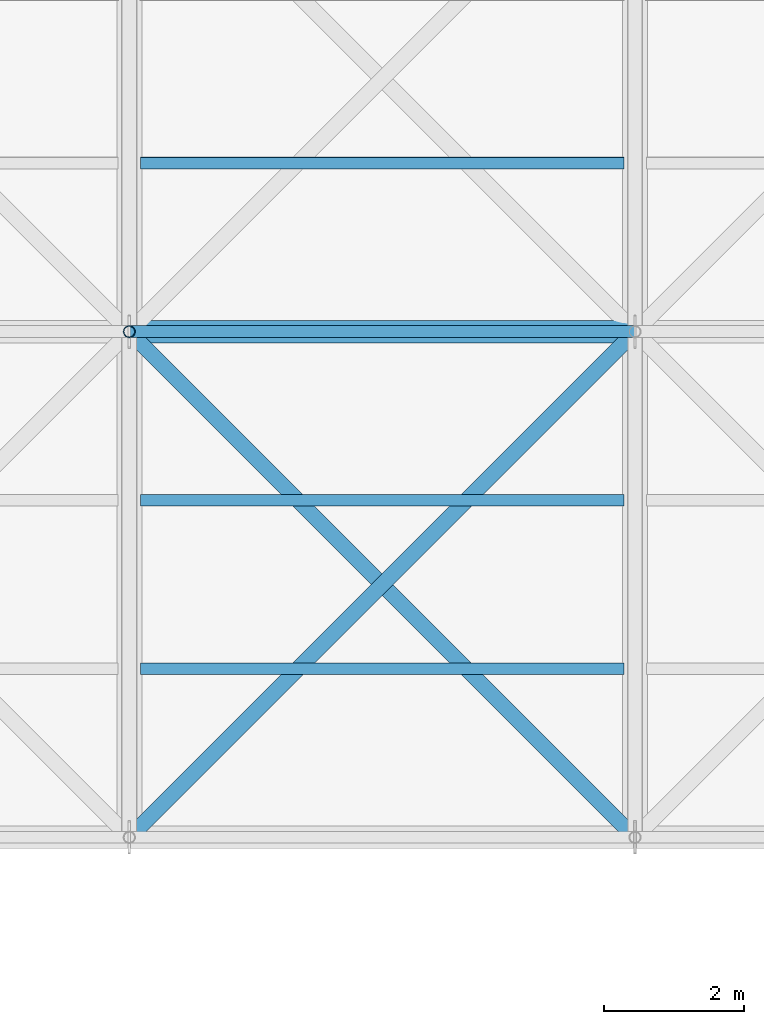
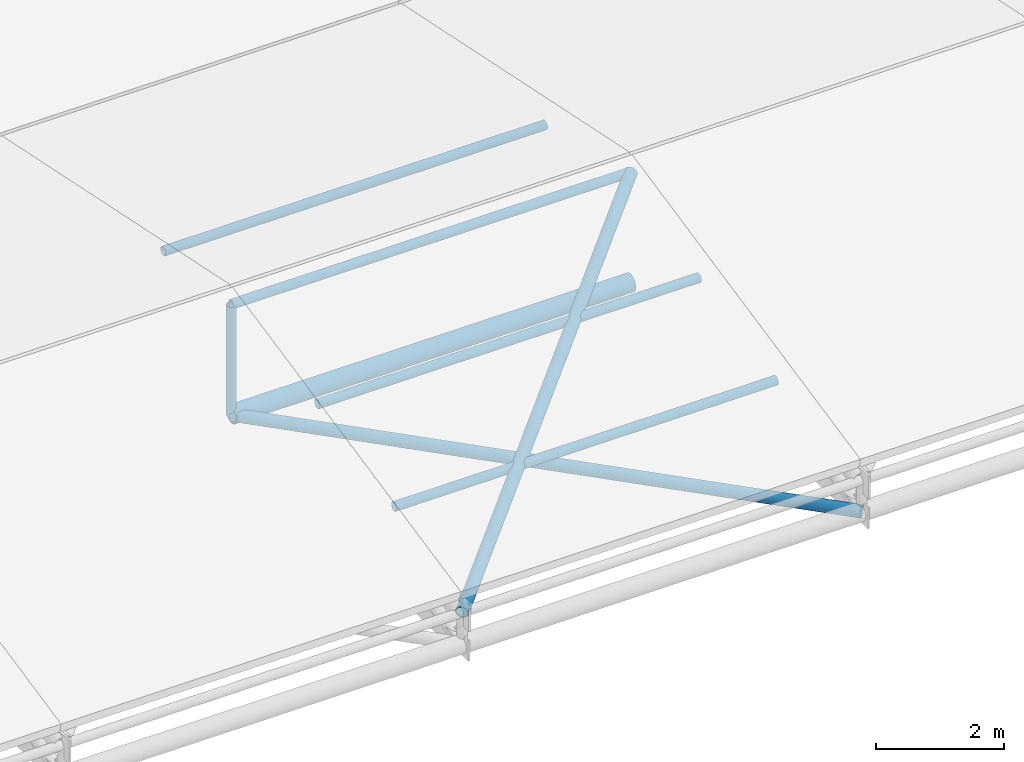
# One storey, part 20 of 72: 8 members.
"""IFC4 building model written with IfcOpenShell, lengths in metres."""

from ifc_helpers import new_model, si_unit, direction, frame, origin, origin_2d, place, context, subcontext, project, spatial, hollow_circle, extrude, material, material_profile, profile_set, type_object, element, save


model = new_model("IFC4")

# Units and contexts
model_context = context("Model", 3, precision=1e-05, world=origin(), true_north=direction((0.0, 1.0)))
body_context = subcontext(model_context, "Body", "Model", "MODEL_VIEW")
ifc_project = project(units=[si_unit("LENGTHUNIT", "METRE"), si_unit("AREAUNIT", "SQUARE_METRE"), si_unit("VOLUMEUNIT", "CUBIC_METRE"), si_unit("PLANEANGLEUNIT", "RADIAN"), si_unit("MASSUNIT", "GRAM", prefix="KILO")], contexts=[model_context])

# Site, building, storey
site_placement = place(None, origin())
site = spatial("IfcSite", under=ifc_project, at=site_placement, CompositionType="ELEMENT")
building_placement = place(site_placement, origin())
building = spatial("IfcBuilding", under=site, at=building_placement, Name="Vaelcorin Mobility Hub", CompositionType="ELEMENT")
storey_placement = place(building_placement, frame((0.0, 0.0, 25.800048828125)))
storey = spatial("IfcBuildingStorey", under=building, at=storey_placement, Name="RF", CompositionType="ELEMENT", Elevation=25.800048828125)

# Members
ifc_material = material(Name="Steel ASTM A500 Grade C", Category="steel")
ifc_material_profile_1 = material_profile(ifc_material, hollow_circle(Radius=0.161865234375, WallThickness=0.0126953125, at=origin_2d()), Name="HSS12.750X0.500")
ifc_profile_set_1 = profile_set([ifc_material_profile_1], Name="Steel ASTM A500 Grade C")
member_type_1 = type_object("IfcMemberType", Name="SF-CHORD-12", PredefinedType="CHORD", material=ifc_profile_set_1)
member_1_placement = place(storey_placement, frame((64.800048828125, 91.199951171875, -2.10009765625), z_axis=(1.0, 0.0, 0.0), x_axis=(0.0, 1.0, 0.0)))
element("IfcMember", 1, at=member_1_placement, inside=storey, type_object=member_type_1, Name="Sports Truss Lower Tie Strut 5-1", PredefinedType="CHORD", context=body_context, shape_type="SweptSolid", body=[
    extrude(hollow_circle(Radius=0.161865234375, WallThickness=0.0126953125, at=origin_2d()), origin(), (0.0, 0.0, 1.0), 7.199951171875),
])
ifc_material_profile_2 = material_profile(ifc_material, hollow_circle(Radius=0.109619140625, WallThickness=0.009521484375, at=origin_2d()), Name="HSS8.625X0.375")
ifc_profile_set_2 = profile_set([ifc_material_profile_2], Name="Steel ASTM A500 Grade C")
member_type_2 = type_object("IfcMemberType", Name="SF-DIAG-8", PredefinedType="BRACE", material=ifc_profile_set_2)
member_2_placement = place(storey_placement, frame((64.800048828125, 84.0, -1.5), z_axis=(0.699556744026, 0.699556744026, 0.145741976715), x_axis=(-0.707106781187, 0.707106781187, 0.0)))
element("IfcMember", 2, at=member_2_placement, inside=storey, type_object=member_type_2, Name="Sports Roof Space-Truss Plan Brace 5-1", PredefinedType="BRACE", context=body_context, shape_type="SweptSolid", body=[
    extrude(hollow_circle(Radius=0.109619140625, WallThickness=0.009521484375, at=origin_2d()), origin(), (0.0, 0.0, 1.0), 10.292236328125),
])
member_3_placement = place(storey_placement, frame((72.0, 84.0, -2.10009765625), z_axis=(-0.707106781187, 0.707106781187, 0.0), x_axis=(-0.707106781187, -0.707106781187, 0.0)))
element("IfcMember", 3, at=member_3_placement, inside=storey, type_object=member_type_2, Name="Sports Truss Lower Plan Brace 5-1", PredefinedType="BRACE", context=body_context, shape_type="SweptSolid", body=[
    extrude(hollow_circle(Radius=0.109619140625, WallThickness=0.009521484375, at=origin_2d()), origin(), (0.0, 0.0, 1.0), 10.182373046875),
])
ifc_material_profile_3 = material_profile(ifc_material, hollow_circle(Radius=0.084228515625, WallThickness=0.0078125, at=origin_2d()), Name="HSS6.625X0.312")
ifc_profile_set_3 = profile_set([ifc_material_profile_3], Name="Steel ASTM A500 Grade C")
member_type_3 = type_object("IfcMemberType", Name="SF-PURL-6", PredefinedType="PURLIN", material=ifc_profile_set_3)
member_4_placement = place(storey_placement, frame((64.800048828125, 91.199951171875, 0.0), z_axis=(1.0, 0.0, 0.0), x_axis=(0.0, 1.0, 0.0)))
element("IfcMember", 4, at=member_4_placement, inside=storey, type_object=member_type_3, Name="Sports Pavilion Roof Purlin 5-1", PredefinedType="PURLIN", context=body_context, shape_type="SweptSolid", body=[
    extrude(hollow_circle(Radius=0.084228515625, WallThickness=0.0078125, at=origin_2d()), origin(), (0.0, 0.0, 1.0), 7.199951171875),
])
for number, where, z_axis, x_axis, name in (
    (5, (64.9599609375, 86.39990234375, -1.0), (1.0, 0.0, 0.0), (0.0, 1.0, 0.0), "Sports Roof Secondary Purlin 5-1-1"),
    (6, (64.9599609375, 88.800048828125, -0.5), (1.0, 0.0, 0.0), (0.0, 1.0, 0.0), "Sports Roof Secondary Purlin 5-1-2"),
    (7, (64.9599609375, 93.60009765625, -0.5), (1.0, 0.0, 0.0), (0.0, 1.0, 0.0), "Sports Roof Secondary Purlin 5-2-1"),
):
    element("IfcMember", number, at=place(storey_placement, frame(where, z_axis=z_axis, x_axis=x_axis)), inside=storey, type_object=member_type_3, Name=name, PredefinedType="PURLIN", context=body_context, shape_type="SweptSolid", body=[
        extrude(hollow_circle(Radius=0.084228515625, WallThickness=0.0078125, at=origin_2d()), origin(), (0.0, 0.0, 1.0), 6.880126953125),
    ])
ifc_material_profile_4 = material_profile(ifc_material, hollow_circle(Radius=0.084228515625, WallThickness=0.0078125, at=origin_2d()), Name="HSS6.625X0.312")
ifc_profile_set_4 = profile_set([ifc_material_profile_4], Name="Steel ASTM A500 Grade C")
member_type_4 = type_object("IfcMemberType", Name="TR-POST-6", PredefinedType="POST", material=ifc_profile_set_4)
member_5_placement = place(storey_placement, frame((64.800048828125, 91.199951171875, -2.10009765625), z_axis=(0.0, 0.0, 1.0), x_axis=(1.0, 0.0, 0.0)))
element("IfcMember", 8, at=member_5_placement, inside=storey, type_object=member_type_4, Name="Sports Pavilion Roof Truss Post 4-1", PredefinedType="POST", context=body_context, shape_type="SweptSolid", body=[
    extrude(hollow_circle(Radius=0.084228515625, WallThickness=0.0078125, at=origin_2d()), origin(), (0.0, 0.0, 1.0), 2.10009765625),
])

save(model, "model.ifc")
